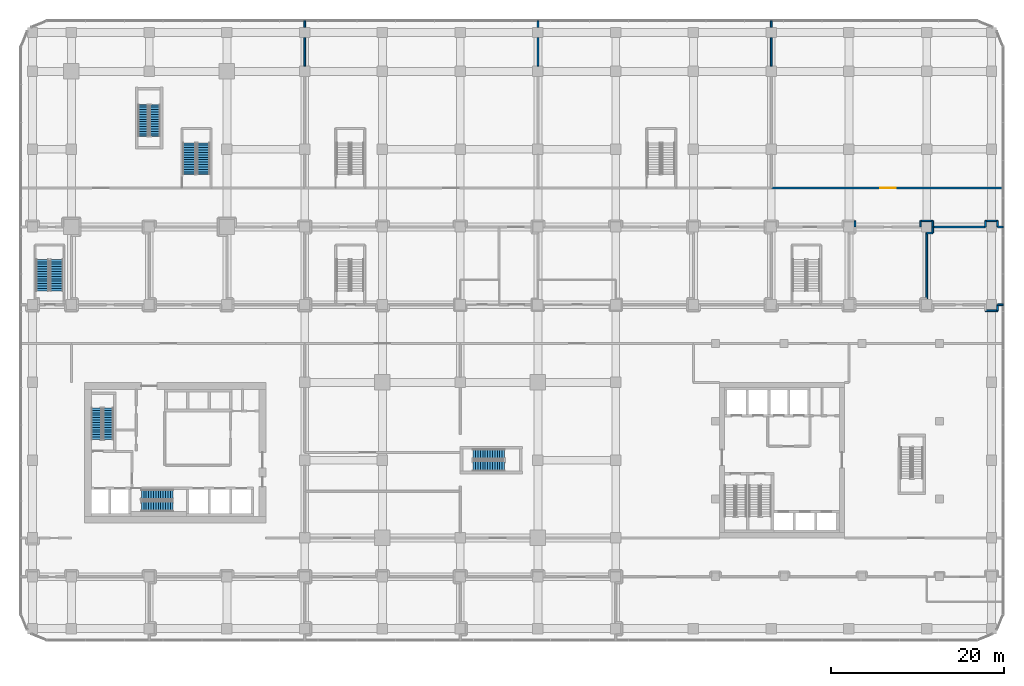
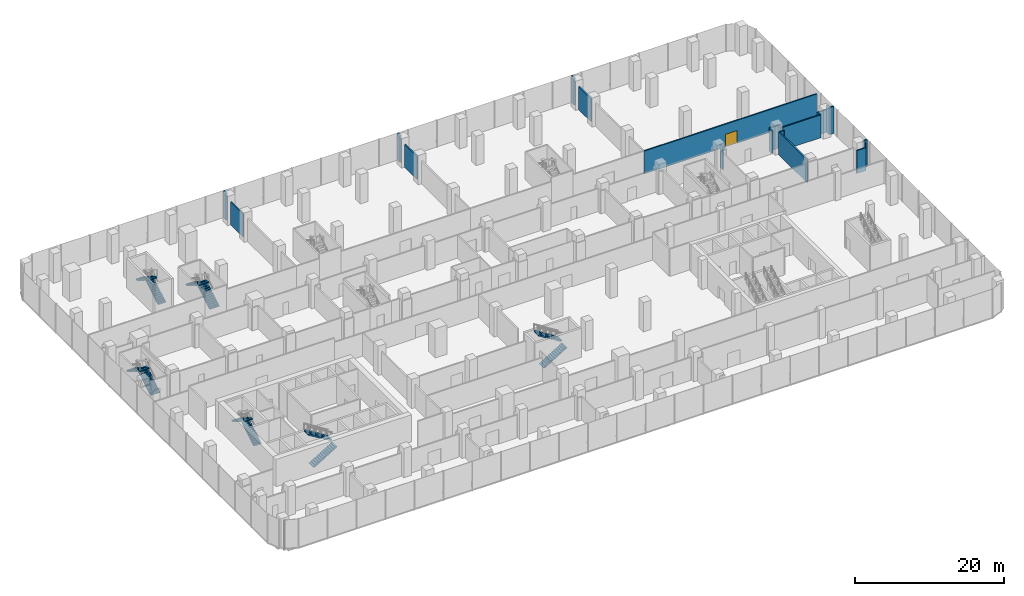
# One storey, part 36 of 42: 22 walls, 12 stair flights, 1 door, 1 opening, 6 elements without a shape of their own.
"""IFC4 building model written with IfcOpenShell, lengths in metres."""

from ifc_helpers import new_model, si_unit, direction, frame, frame_2d, origin, place, context, subcontext, project, spatial, polyline, rectangle, outline, extrude, material, layer, layer_set, type_object, element, fill, aggregate, save


model = new_model("IFC4")

# Units and contexts
model_context = context("Model", 3, precision=1e-05, world=origin(), true_north=direction((0.0, 1.0)))
body_context = subcontext(model_context, "Body", "Model", "MODEL_VIEW")
ifc_project = project(units=[si_unit("LENGTHUNIT", "METRE"), si_unit("AREAUNIT", "SQUARE_METRE"), si_unit("VOLUMEUNIT", "CUBIC_METRE"), si_unit("PLANEANGLEUNIT", "RADIAN"), si_unit("MASSUNIT", "GRAM", prefix="KILO")], contexts=[model_context])

# Site, building, storey
site_placement = place(None, origin())
site = spatial("IfcSite", under=ifc_project, at=site_placement, CompositionType="ELEMENT")
building_placement = place(site_placement, origin())
building = spatial("IfcBuilding", under=site, at=building_placement, Name="Plateau Cross Towers", CompositionType="ELEMENT")
storey_placement = place(building_placement, frame((0.0, 0.0, 8.0)))
storey = spatial("IfcBuildingStorey", under=building, at=storey_placement, Name="L01", CompositionType="ELEMENT", Elevation=8.0)

# Wall, opening, door
ifc_material_1 = material(Name="Gypsum board on steel studs", Category="steel")
ifc_layer = layer(ifc_material_1, 0.199951171875)
ifc_layer_set = layer_set([ifc_layer], Name="Gypsum board on steel studs")
wall_type = type_object("IfcWallType", Name="Podium partition 200", PredefinedType="PARTITIONING", material=ifc_layer_set)
wall_1_placement = place(storey_placement, frame((81.0, 40.5, 0.0), z_axis=(0.0, 0.0, 1.0), x_axis=(1.0, 0.0, 0.0)))
wall_1 = element("IfcWall", 1, at=wall_1_placement, inside=storey, type_object=wall_type, Name="Partition wall", PredefinedType="PARTITIONING", context=body_context, shape_type="SweptSolid", body=[
    extrude(rectangle(XDim=26.85009765625, YDim=0.199951171875, at=frame_2d((13.425048828125, 0.0))), origin(), (0.0, 0.0, 1.0), 3.75),
])
opening_placement = place(wall_1_placement, frame((12.60009765625, 0.0, 0.0)))
opening = element("IfcOpeningElement", 2, at=opening_placement, cuts=wall_1, Name="Opening 01-30", PredefinedType="OPENING", context=body_context, shape_type="SweptSolid", body=[
    extrude(rectangle(XDim=1.800048828125, YDim=2.10009765625, at=frame_2d((0.89990234375, 1.050048828125))), frame((0.0, 0.10986328125, 0.0), z_axis=(0.0, -1.0, 0.0), x_axis=(1.0, 0.0, 0.0)), (0.0, 0.0, 1.0), 0.219970703125),
])
ifc_material_2 = material(Name="Aluminium frame, toughened glass", Category="aluminium")
door_type = type_object("IfcDoorType", Name="Podium door pair 1800", OperationType="NOTDEFINED", PredefinedType="DOOR", material=ifc_material_2)
door_placement = place(opening_placement, origin())
door = element("IfcDoor", 3, at=door_placement, inside=storey, type_object=door_type, Name="Door 01-30", OperationType="DOUBLE_DOOR_SINGLE_SWING", OverallHeight=2.10009765625, OverallWidth=1.800048828125, PredefinedType="DOOR", context=body_context, shape_type="SweptSolid", body=[
    extrude(rectangle(XDim=1.800048828125, YDim=2.10009765625, at=frame_2d((0.89990234375, 1.050048828125))), frame((0.0, 0.02490234375, 0.0), z_axis=(0.0, -1.0, 0.0), x_axis=(1.0, 0.0, 0.0)), (0.0, 0.0, 1.0), 0.050048828125),
])
fill(opening, door)

# Walls
wall_2_placement = place(storey_placement, frame((54.0, 59.85009765625, 0.0), z_axis=(0.0, 0.0, 1.0), x_axis=(0.0, -1.0, 0.0)))
element("IfcWall", 4, at=wall_2_placement, inside=storey, type_object=wall_type, Name="Partition wall", PredefinedType="PARTITIONING", context=body_context, shape_type="SweptSolid", body=[
    extrude(rectangle(XDim=0.75, YDim=0.199951171875, at=frame_2d((0.375, 0.0))), origin(), (0.0, 0.0, 1.0), 4.449951171875),
])
wall_3_placement = place(storey_placement, frame((54.0, 57.89990234375, 0.0), z_axis=(0.0, 0.0, 1.0), x_axis=(0.0, -1.0, 0.0)))
element("IfcWall", 5, at=wall_3_placement, inside=storey, type_object=wall_type, Name="Partition wall", PredefinedType="PARTITIONING", context=body_context, shape_type="SweptSolid", body=[
    extrude(rectangle(XDim=3.2998046875, YDim=0.199951171875, at=frame_2d((1.64990234375, 0.0))), origin(), (0.0, 0.0, 1.0), 3.75),
])
wall_4_placement = place(storey_placement, frame((81.0, 59.85009765625, 0.0), z_axis=(0.0, 0.0, 1.0), x_axis=(0.0, -1.0, 0.0)))
element("IfcWall", 6, at=wall_4_placement, inside=storey, type_object=wall_type, Name="Partition wall", PredefinedType="PARTITIONING", context=body_context, shape_type="SweptSolid", body=[
    extrude(rectangle(XDim=0.75, YDim=0.199951171875, at=frame_2d((0.375, 0.0))), origin(), (0.0, 0.0, 1.0), 4.449951171875),
])
wall_5_placement = place(storey_placement, frame((81.0, 57.89990234375, 0.0), z_axis=(0.0, 0.0, 1.0), x_axis=(0.0, -1.0, 0.0)))
element("IfcWall", 7, at=wall_5_placement, inside=storey, type_object=wall_type, Name="Partition wall", PredefinedType="PARTITIONING", context=body_context, shape_type="SweptSolid", body=[
    extrude(rectangle(XDim=3.2998046875, YDim=0.199951171875, at=frame_2d((1.64990234375, 0.0))), origin(), (0.0, 0.0, 1.0), 3.75),
])
wall_6_placement = place(storey_placement, frame((27.0, 59.85009765625, 0.0), z_axis=(0.0, 0.0, 1.0), x_axis=(0.0, -1.0, 0.0)))
element("IfcWall", 8, at=wall_6_placement, inside=storey, type_object=wall_type, Name="Partition wall", PredefinedType="PARTITIONING", context=body_context, shape_type="SweptSolid", body=[
    extrude(rectangle(XDim=0.75, YDim=0.199951171875, at=frame_2d((0.375, 0.0))), origin(), (0.0, 0.0, 1.0), 4.449951171875),
])
wall_7_placement = place(storey_placement, frame((27.0, 57.89990234375, 0.0), z_axis=(0.0, 0.0, 1.0), x_axis=(0.0, -1.0, 0.0)))
element("IfcWall", 9, at=wall_7_placement, inside=storey, type_object=wall_type, Name="Partition wall", PredefinedType="PARTITIONING", context=body_context, shape_type="SweptSolid", body=[
    extrude(rectangle(XDim=3.2998046875, YDim=0.199951171875, at=frame_2d((1.64990234375, 0.0))), origin(), (0.0, 0.0, 1.0), 3.75),
])
wall_8_placement = place(storey_placement, frame((90.699951171875, 36.0, 0.0), z_axis=(0.0, 0.0, 1.0), x_axis=(0.0, 1.0, 0.0)))
element("IfcWall", 10, at=wall_8_placement, inside=storey, type_object=wall_type, Name="Partition wall", PredefinedType="PARTITIONING", context=body_context, shape_type="SweptSolid", body=[
    extrude(rectangle(XDim=0.699951171875, YDim=0.199951171875, at=frame_2d((0.35009765625, 0.0))), origin(), (0.0, 0.0, 1.0), 3.75),
])
wall_9_placement = place(storey_placement, frame((105.800048828125, 26.300048828125, 0.0), z_axis=(0.0, 0.0, 1.0), x_axis=(1.0, 0.0, 0.0)))
element("IfcWall", 11, at=wall_9_placement, inside=storey, type_object=wall_type, Name="Partition wall", PredefinedType="PARTITIONING", context=body_context, shape_type="SweptSolid", body=[
    extrude(rectangle(XDim=1.39990234375, YDim=0.199951171875, at=frame_2d((0.699951171875, 0.0))), origin(), (0.0, 0.0, 1.0), 3.75),
])
wall_10_placement = place(storey_placement, frame((107.199951171875, 26.300048828125, 0.0), z_axis=(0.0, 0.0, 1.0), x_axis=(0.0, 1.0, 0.0)))
element("IfcWall", 12, at=wall_10_placement, inside=storey, type_object=wall_type, Name="Partition wall", PredefinedType="PARTITIONING", context=body_context, shape_type="SweptSolid", body=[
    extrude(rectangle(XDim=0.699951171875, YDim=0.199951171875, at=frame_2d((0.35009765625, 0.0))), origin(), (0.0, 0.0, 1.0), 4.449951171875),
])
wall_11_placement = place(storey_placement, frame((107.199951171875, 27.0, 0.0), z_axis=(0.0, 0.0, 1.0), x_axis=(1.0, 0.0, 0.0)))
element("IfcWall", 13, at=wall_11_placement, inside=storey, type_object=wall_type, Name="Partition wall", PredefinedType="PARTITIONING", context=body_context, shape_type="SweptSolid", body=[
    extrude(rectangle(XDim=0.650146484375, YDim=0.199951171875, at=frame_2d((0.3251953125, 0.0))), origin(), (0.0, 0.0, 1.0), 4.449951171875),
])
wall_12_placement = place(storey_placement, frame((99.699951171875, 36.0, 0.0), z_axis=(0.0, 0.0, 1.0), x_axis=(0.0, 1.0, 0.0)))
element("IfcWall", 14, at=wall_12_placement, inside=storey, type_object=wall_type, Name="Partition wall", PredefinedType="PARTITIONING", context=body_context, shape_type="SweptSolid", body=[
    extrude(rectangle(XDim=0.699951171875, YDim=0.199951171875, at=frame_2d((0.35009765625, 0.0))), origin(), (0.0, 0.0, 1.0), 3.75),
])
wall_13_placement = place(storey_placement, frame((99.699951171875, 36.699951171875, 0.0), z_axis=(0.0, 0.0, 1.0), x_axis=(-1.0, 0.0, 0.0)))
element("IfcWall", 15, at=wall_13_placement, inside=storey, type_object=wall_type, Name="Partition wall", PredefinedType="PARTITIONING", context=body_context, shape_type="SweptSolid", body=[
    extrude(rectangle(XDim=1.39990234375, YDim=0.199951171875, at=frame_2d((0.699951171875, 0.0))), origin(), (0.0, 0.0, 1.0), 3.75),
])
for number, where, z_axis, x_axis, name in (
    (16, (98.300048828125, 36.699951171875, 0.0), (0.0, 0.0, 1.0), (0.0, -1.0, 0.0), "Partition wall"),
    (17, (99.699951171875, 36.0, 0.0), (0.0, 0.0, 1.0), (0.0, -1.0, 0.0), "Partition wall"),
    (18, (99.699951171875, 35.300048828125, 0.0), (0.0, 0.0, 1.0), (-1.0, 0.0, 0.0), "Partition wall"),
):
    element("IfcWall", number, at=place(storey_placement, frame(where, z_axis=z_axis, x_axis=x_axis)), inside=storey, type_object=wall_type, Name=name, PredefinedType="PARTITIONING", context=body_context, shape_type="SweptSolid", body=[
        extrude(rectangle(XDim=0.699951171875, YDim=0.199951171875, at=frame_2d((0.35009765625, 0.0))), origin(), (0.0, 0.0, 1.0), 3.75),
    ])
wall_14_placement = place(storey_placement, frame((99.0, 35.300048828125, 0.0), z_axis=(0.0, 0.0, 1.0), x_axis=(0.0, -1.0, 0.0)))
element("IfcWall", 19, at=wall_14_placement, inside=storey, type_object=wall_type, Name="Partition wall", PredefinedType="PARTITIONING", context=body_context, shape_type="SweptSolid", body=[
    extrude(rectangle(XDim=7.60009765625, YDim=0.199951171875, at=frame_2d((3.800048828125, 0.0))), origin(), (0.0, 0.0, 1.0), 3.75),
])
wall_15_placement = place(storey_placement, frame((107.85009765625, 36.0, 0.0), z_axis=(0.0, 0.0, 1.0), x_axis=(-1.0, 0.0, 0.0)))
element("IfcWall", 20, at=wall_15_placement, inside=storey, type_object=wall_type, Name="Partition wall", PredefinedType="PARTITIONING", context=body_context, shape_type="SweptSolid", body=[
    extrude(rectangle(XDim=0.650146484375, YDim=0.199951171875, at=frame_2d((0.3251953125, 0.0))), origin(), (0.0, 0.0, 1.0), 4.449951171875),
])
wall_16_placement = place(storey_placement, frame((107.199951171875, 36.0, 0.0), z_axis=(0.0, 0.0, 1.0), x_axis=(0.0, 1.0, 0.0)))
element("IfcWall", 21, at=wall_16_placement, inside=storey, type_object=wall_type, Name="Partition wall", PredefinedType="PARTITIONING", context=body_context, shape_type="SweptSolid", body=[
    extrude(rectangle(XDim=0.699951171875, YDim=0.199951171875, at=frame_2d((0.35009765625, 0.0))), origin(), (0.0, 0.0, 1.0), 4.449951171875),
])
wall_17_placement = place(storey_placement, frame((107.199951171875, 36.699951171875, 0.0), z_axis=(0.0, 0.0, 1.0), x_axis=(-1.0, 0.0, 0.0)))
element("IfcWall", 22, at=wall_17_placement, inside=storey, type_object=wall_type, Name="Partition wall", PredefinedType="PARTITIONING", context=body_context, shape_type="SweptSolid", body=[
    extrude(rectangle(XDim=1.39990234375, YDim=0.199951171875, at=frame_2d((0.699951171875, 0.0))), origin(), (0.0, 0.0, 1.0), 3.75),
])
wall_18_placement = place(storey_placement, frame((105.800048828125, 36.699951171875, 0.0), z_axis=(0.0, 0.0, 1.0), x_axis=(0.0, -1.0, 0.0)))
element("IfcWall", 23, at=wall_18_placement, inside=storey, type_object=wall_type, Name="Partition wall", PredefinedType="PARTITIONING", context=body_context, shape_type="SweptSolid", body=[
    extrude(rectangle(XDim=0.699951171875, YDim=0.199951171875, at=frame_2d((0.35009765625, 0.0))), origin(), (0.0, 0.0, 1.0), 3.75),
])
wall_19_placement = place(storey_placement, frame((105.800048828125, 36.0, 0.0), z_axis=(0.0, 0.0, 1.0), x_axis=(-1.0, 0.0, 0.0)))
element("IfcWall", 24, at=wall_19_placement, inside=storey, type_object=wall_type, Name="Partition wall", PredefinedType="PARTITIONING", context=body_context, shape_type="SweptSolid", body=[
    extrude(rectangle(XDim=6.0, YDim=0.199951171875, at=frame_2d((3.0, 0.0))), origin(), (0.0, 0.0, 1.0), 3.75),
])

# Stair, stair flights
ifc_material_3 = material(Name="Concrete C40/50", Category="concrete")
stair_type_1 = type_object("IfcStairType", Name="Podium exit stair 1500", PredefinedType="HALF_TURN_STAIR", material=ifc_material_3)
stair_1_placement = place(storey_placement, origin())
stair_1 = element("IfcStair", 25, at=stair_1_placement, inside=storey, type_object=stair_type_1, Name="L01 Exit Stair 4", PredefinedType="HALF_TURN_STAIR")
stair_flight_type_1 = type_object("IfcStairFlightType", Name="Podium stair flight 1500", PredefinedType="STRAIGHT", material=ifc_material_3)
stair_flight_1_placement = place(storey_placement, frame((-1.699951171875, 28.60009765625, 0.0), z_axis=(0.0, 0.0, 1.0), x_axis=(0.0, 1.0, 0.0)))
stair_flight_1 = element("IfcStairFlight", 26, at=stair_flight_1_placement, type_object=stair_flight_type_1, Name="PS4 flight 1", NumberOfRisers=14, NumberOfTreads=13, PredefinedType="STRAIGHT", RiserHeight=0.171428571, TreadLength=0.28, context=body_context, shape_type="SweptSolid", body=[
    extrude(outline(polyline([(-0.0048828125, -0.010009765625), (-0.0048828125, 0.0), (0.0, 0.0), (0.0, 0.17138671875), (0.280029296875, 0.17138671875), (0.280029296875, 0.3427734375), (0.56005859375, 0.3427734375), (0.56005859375, 0.514404296875), (0.840087890625, 0.514404296875), (0.840087890625, 0.685791015625), (1.1201171875, 0.685791015625), (1.1201171875, 0.857177734375), (1.39990234375, 0.857177734375), (1.39990234375, 1.028564453125), (1.679931640625, 1.028564453125), (1.679931640625, 1.199951171875), (1.9599609375, 1.199951171875), (1.9599609375, 1.371337890625), (2.239990234375, 1.371337890625), (2.239990234375, 1.54296875), (2.52001953125, 1.54296875), (2.52001953125, 1.71435546875), (2.800048828125, 1.71435546875), (2.800048828125, 1.8857421875), (3.080078125, 1.8857421875), (3.080078125, 2.05712890625), (3.360107421875, 2.05712890625), (3.360107421875, 2.228515625), (3.639892578125, 2.228515625), (3.64501953125, 2.218505859375), (3.64501953125, 2.052734375), (3.639892578125, 2.052734375), (0.287109375, 0.0), (0.02001953125, 0.0), (0.02001953125, -0.010009765625), (-0.0048828125, -0.010009765625)])), frame((0.0, 0.75, 0.0), z_axis=(0.0, -1.0, 0.0), x_axis=(1.0, 0.0, 0.0)), (0.0, 0.0, 1.0), 1.5),
])
stair_flight_2_placement = place(storey_placement, frame((-3.35009765625, 32.239990234375, 2.39990234375), z_axis=(0.0, 0.0, 1.0), x_axis=(0.0, -1.0, 0.0)))
stair_flight_2 = element("IfcStairFlight", 27, at=stair_flight_2_placement, type_object=stair_flight_type_1, Name="PS4 flight 2", NumberOfRisers=14, NumberOfTreads=13, PredefinedType="STRAIGHT", RiserHeight=0.171428571, TreadLength=0.28, context=body_context, shape_type="SweptSolid", body=[
    extrude(outline(polyline([(-0.0048828125, -0.010009765625), (-0.0048828125, 0.0), (0.0, 0.0), (0.0, 0.17138671875), (0.280029296875, 0.17138671875), (0.280029296875, 0.3427734375), (0.56005859375, 0.3427734375), (0.56005859375, 0.514404296875), (0.840087890625, 0.514404296875), (0.840087890625, 0.685791015625), (1.1201171875, 0.685791015625), (1.1201171875, 0.857177734375), (1.39990234375, 0.857177734375), (1.39990234375, 1.028564453125), (1.679931640625, 1.028564453125), (1.679931640625, 1.199951171875), (1.9599609375, 1.199951171875), (1.9599609375, 1.371337890625), (2.239990234375, 1.371337890625), (2.239990234375, 1.54296875), (2.52001953125, 1.54296875), (2.52001953125, 1.71435546875), (2.800048828125, 1.71435546875), (2.800048828125, 1.8857421875), (3.080078125, 1.8857421875), (3.080078125, 2.05712890625), (3.360107421875, 2.05712890625), (3.360107421875, 2.228515625), (3.639892578125, 2.228515625), (3.64501953125, 2.218505859375), (3.64501953125, 2.052734375), (3.639892578125, 2.052734375), (0.287109375, 0.0), (0.02001953125, 0.0), (0.02001953125, -0.010009765625), (-0.0048828125, -0.010009765625)])), frame((0.0, 0.75, 0.0), z_axis=(0.0, -1.0, 0.0), x_axis=(1.0, 0.0, 0.0)), (0.0, 0.0, 1.0), 1.5),
])
aggregate(stair_1, [stair_flight_1, stair_flight_2])

stair_2_placement = place(storey_placement, origin())
stair_2 = element("IfcStair", 28, at=stair_2_placement, inside=storey, type_object=stair_type_1, Name="L01 Exit Stair 6", PredefinedType="HALF_TURN_STAIR")
stair_flight_3_placement = place(storey_placement, frame((15.300048828125, 42.10009765625, 0.0), z_axis=(0.0, 0.0, 1.0), x_axis=(0.0, 1.0, 0.0)))
stair_flight_3 = element("IfcStairFlight", 29, at=stair_flight_3_placement, type_object=stair_flight_type_1, Name="PS6 flight 1", NumberOfRisers=14, NumberOfTreads=13, PredefinedType="STRAIGHT", RiserHeight=0.171428571, TreadLength=0.28, context=body_context, shape_type="SweptSolid", body=[
    extrude(outline(polyline([(-0.0048828125, -0.010009765625), (-0.0048828125, 0.0), (0.0, 0.0), (0.0, 0.17138671875), (0.280029296875, 0.17138671875), (0.280029296875, 0.3427734375), (0.56005859375, 0.3427734375), (0.56005859375, 0.514404296875), (0.840087890625, 0.514404296875), (0.840087890625, 0.685791015625), (1.1201171875, 0.685791015625), (1.1201171875, 0.857177734375), (1.39990234375, 0.857177734375), (1.39990234375, 1.028564453125), (1.679931640625, 1.028564453125), (1.679931640625, 1.199951171875), (1.9599609375, 1.199951171875), (1.9599609375, 1.371337890625), (2.239990234375, 1.371337890625), (2.239990234375, 1.54296875), (2.52001953125, 1.54296875), (2.52001953125, 1.71435546875), (2.800048828125, 1.71435546875), (2.800048828125, 1.8857421875), (3.080078125, 1.8857421875), (3.080078125, 2.05712890625), (3.360107421875, 2.05712890625), (3.360107421875, 2.228515625), (3.639892578125, 2.228515625), (3.64501953125, 2.218505859375), (3.64501953125, 2.052734375), (3.639892578125, 2.052734375), (0.287109375, 0.0), (0.02001953125, 0.0), (0.02001953125, -0.010009765625), (-0.0048828125, -0.010009765625)])), frame((0.0, 0.75, 0.0), z_axis=(0.0, -1.0, 0.0), x_axis=(1.0, 0.0, 0.0)), (0.0, 0.0, 1.0), 1.5),
])
stair_flight_4_placement = place(storey_placement, frame((13.64990234375, 45.739990234375, 2.39990234375), z_axis=(0.0, 0.0, 1.0), x_axis=(0.0, -1.0, 0.0)))
stair_flight_4 = element("IfcStairFlight", 30, at=stair_flight_4_placement, type_object=stair_flight_type_1, Name="PS6 flight 2", NumberOfRisers=14, NumberOfTreads=13, PredefinedType="STRAIGHT", RiserHeight=0.171428571, TreadLength=0.28, context=body_context, shape_type="SweptSolid", body=[
    extrude(outline(polyline([(-0.0048828125, -0.010009765625), (-0.0048828125, 0.0), (0.0, 0.0), (0.0, 0.17138671875), (0.280029296875, 0.17138671875), (0.280029296875, 0.3427734375), (0.56005859375, 0.3427734375), (0.56005859375, 0.514404296875), (0.840087890625, 0.514404296875), (0.840087890625, 0.685791015625), (1.1201171875, 0.685791015625), (1.1201171875, 0.857177734375), (1.39990234375, 0.857177734375), (1.39990234375, 1.028564453125), (1.679931640625, 1.028564453125), (1.679931640625, 1.199951171875), (1.9599609375, 1.199951171875), (1.9599609375, 1.371337890625), (2.239990234375, 1.371337890625), (2.239990234375, 1.54296875), (2.52001953125, 1.54296875), (2.52001953125, 1.71435546875), (2.800048828125, 1.71435546875), (2.800048828125, 1.8857421875), (3.080078125, 1.8857421875), (3.080078125, 2.05712890625), (3.360107421875, 2.05712890625), (3.360107421875, 2.228515625), (3.639892578125, 2.228515625), (3.64501953125, 2.218505859375), (3.64501953125, 2.052734375), (3.639892578125, 2.052734375), (0.287109375, 0.0), (0.02001953125, 0.0), (0.02001953125, -0.010009765625), (-0.0048828125, -0.010009765625)])), frame((0.0, 0.75, 0.0), z_axis=(0.0, -1.0, 0.0), x_axis=(1.0, 0.0, 0.0)), (0.0, 0.0, 1.0), 1.5),
])
aggregate(stair_2, [stair_flight_3, stair_flight_4])

stair_type_2 = type_object("IfcStairType", Name="ST-TWR", PredefinedType="HALF_TURN_STAIR", material=ifc_material_3)
stair_3_placement = place(storey_placement, origin())
stair_3 = element("IfcStair", 31, at=stair_3_placement, inside=storey, type_object=stair_type_2, Name="L01 Protected Exit Stair ST-1", PredefinedType="HALF_TURN_STAIR")
stair_flight_type_2 = type_object("IfcStairFlightType", Name="SFL-RC", PredefinedType="STRAIGHT", material=ifc_material_3)
stair_flight_5_placement = place(storey_placement, frame((4.25, 11.39990234375, 0.0), z_axis=(0.0, 0.0, 1.0), x_axis=(0.0, 1.0, 0.0)))
stair_flight_5 = element("IfcStairFlight", 32, at=stair_flight_5_placement, type_object=stair_flight_type_2, Name="ST-1 flight 1", NumberOfRisers=14, NumberOfTreads=13, PredefinedType="STRAIGHT", RiserHeight=0.171428571, TreadLength=0.28, context=body_context, shape_type="SweptSolid", body=[
    extrude(outline(polyline([(-0.0048828125, -0.010009765625), (-0.0048828125, 0.0), (0.0, 0.0), (0.0, 0.17138671875), (0.280029296875, 0.17138671875), (0.280029296875, 0.3427734375), (0.56005859375, 0.3427734375), (0.56005859375, 0.514404296875), (0.840087890625, 0.514404296875), (0.840087890625, 0.685791015625), (1.1201171875, 0.685791015625), (1.1201171875, 0.857177734375), (1.39990234375, 0.857177734375), (1.39990234375, 1.028564453125), (1.679931640625, 1.028564453125), (1.679931640625, 1.199951171875), (1.9599609375, 1.199951171875), (1.9599609375, 1.371337890625), (2.239990234375, 1.371337890625), (2.239990234375, 1.54296875), (2.52001953125, 1.54296875), (2.52001953125, 1.71435546875), (2.800048828125, 1.71435546875), (2.800048828125, 1.8857421875), (3.080078125, 1.8857421875), (3.080078125, 2.05712890625), (3.360107421875, 2.05712890625), (3.360107421875, 2.228515625), (3.639892578125, 2.228515625), (3.64501953125, 2.218505859375), (3.64501953125, 2.052734375), (3.639892578125, 2.052734375), (0.287109375, 0.0), (0.02001953125, 0.0), (0.02001953125, -0.010009765625), (-0.0048828125, -0.010009765625)])), frame((0.0, 0.60009765625, 0.0), z_axis=(0.0, -1.0, 0.0), x_axis=(1.0, 0.0, 0.0)), (0.0, 0.0, 1.0), 1.199951171875),
])
stair_flight_6_placement = place(storey_placement, frame((2.89990234375, 15.0400390625, 2.39990234375), z_axis=(0.0, 0.0, 1.0), x_axis=(0.0, -1.0, 0.0)))
stair_flight_6 = element("IfcStairFlight", 33, at=stair_flight_6_placement, type_object=stair_flight_type_2, Name="ST-1 flight 2", NumberOfRisers=14, NumberOfTreads=13, PredefinedType="STRAIGHT", RiserHeight=0.171428571, TreadLength=0.28, context=body_context, shape_type="SweptSolid", body=[
    extrude(outline(polyline([(-0.0048828125, -0.010009765625), (-0.0048828125, 0.0), (0.0, 0.0), (0.0, 0.17138671875), (0.280029296875, 0.17138671875), (0.280029296875, 0.3427734375), (0.56005859375, 0.3427734375), (0.56005859375, 0.514404296875), (0.840087890625, 0.514404296875), (0.840087890625, 0.685791015625), (1.1201171875, 0.685791015625), (1.1201171875, 0.857177734375), (1.39990234375, 0.857177734375), (1.39990234375, 1.028564453125), (1.679931640625, 1.028564453125), (1.679931640625, 1.199951171875), (1.9599609375, 1.199951171875), (1.9599609375, 1.371337890625), (2.239990234375, 1.371337890625), (2.239990234375, 1.54296875), (2.52001953125, 1.54296875), (2.52001953125, 1.71435546875), (2.800048828125, 1.71435546875), (2.800048828125, 1.8857421875), (3.080078125, 1.8857421875), (3.080078125, 2.05712890625), (3.360107421875, 2.05712890625), (3.360107421875, 2.228515625), (3.639892578125, 2.228515625), (3.64501953125, 2.218505859375), (3.64501953125, 2.052734375), (3.639892578125, 2.052734375), (0.287109375, 0.0), (0.02001953125, 0.0), (0.02001953125, -0.010009765625), (-0.0048828125, -0.010009765625)])), frame((0.0, 0.60009765625, 0.0), z_axis=(0.0, -1.0, 0.0), x_axis=(1.0, 0.0, 0.0)), (0.0, 0.0, 1.0), 1.199951171875),
])
aggregate(stair_3, [stair_flight_5, stair_flight_6])

stair_4_placement = place(storey_placement, origin())
stair_4 = element("IfcStair", 34, at=stair_4_placement, inside=storey, type_object=stair_type_2, Name="L01 Protected Exit Stair ST-2", PredefinedType="HALF_TURN_STAIR")
stair_flight_7_placement = place(storey_placement, frame((8.10009765625, 3.64990234375, 0.0), z_axis=(0.0, 0.0, 1.0), x_axis=(1.0, 0.0, 0.0)))
stair_flight_7 = element("IfcStairFlight", 35, at=stair_flight_7_placement, type_object=stair_flight_type_2, Name="ST-2 flight 1", NumberOfRisers=14, NumberOfTreads=13, PredefinedType="STRAIGHT", RiserHeight=0.171428571, TreadLength=0.28, context=body_context, shape_type="SweptSolid", body=[
    extrude(outline(polyline([(-0.0048828125, -0.010009765625), (-0.0048828125, 0.0), (0.0, 0.0), (0.0, 0.17138671875), (0.280029296875, 0.17138671875), (0.280029296875, 0.3427734375), (0.56005859375, 0.3427734375), (0.56005859375, 0.514404296875), (0.840087890625, 0.514404296875), (0.840087890625, 0.685791015625), (1.1201171875, 0.685791015625), (1.1201171875, 0.857177734375), (1.39990234375, 0.857177734375), (1.39990234375, 1.028564453125), (1.679931640625, 1.028564453125), (1.679931640625, 1.199951171875), (1.9599609375, 1.199951171875), (1.9599609375, 1.371337890625), (2.239990234375, 1.371337890625), (2.239990234375, 1.54296875), (2.52001953125, 1.54296875), (2.52001953125, 1.71435546875), (2.800048828125, 1.71435546875), (2.800048828125, 1.8857421875), (3.080078125, 1.8857421875), (3.080078125, 2.05712890625), (3.360107421875, 2.05712890625), (3.360107421875, 2.228515625), (3.639892578125, 2.228515625), (3.64501953125, 2.218505859375), (3.64501953125, 2.052734375), (3.639892578125, 2.052734375), (0.287109375, 0.0), (0.02001953125, 0.0), (0.02001953125, -0.010009765625), (-0.0048828125, -0.010009765625)])), frame((0.0, 0.60009765625, 0.0), z_axis=(0.0, -1.0, 0.0), x_axis=(1.0, 0.0, 0.0)), (0.0, 0.0, 1.0), 1.199951171875),
])
stair_flight_8_placement = place(storey_placement, frame((11.739990234375, 5.0, 2.39990234375), z_axis=(0.0, 0.0, 1.0), x_axis=(-1.0, 0.0, 0.0)))
stair_flight_8 = element("IfcStairFlight", 36, at=stair_flight_8_placement, type_object=stair_flight_type_2, Name="ST-2 flight 2", NumberOfRisers=14, NumberOfTreads=13, PredefinedType="STRAIGHT", RiserHeight=0.171428571, TreadLength=0.28, context=body_context, shape_type="SweptSolid", body=[
    extrude(outline(polyline([(-0.0048828125, -0.010009765625), (-0.0048828125, 0.0), (0.0, 0.0), (0.0, 0.17138671875), (0.280029296875, 0.17138671875), (0.280029296875, 0.3427734375), (0.56005859375, 0.3427734375), (0.56005859375, 0.514404296875), (0.840087890625, 0.514404296875), (0.840087890625, 0.685791015625), (1.1201171875, 0.685791015625), (1.1201171875, 0.857177734375), (1.39990234375, 0.857177734375), (1.39990234375, 1.028564453125), (1.679931640625, 1.028564453125), (1.679931640625, 1.199951171875), (1.9599609375, 1.199951171875), (1.9599609375, 1.371337890625), (2.239990234375, 1.371337890625), (2.239990234375, 1.54296875), (2.52001953125, 1.54296875), (2.52001953125, 1.71435546875), (2.800048828125, 1.71435546875), (2.800048828125, 1.8857421875), (3.080078125, 1.8857421875), (3.080078125, 2.05712890625), (3.360107421875, 2.05712890625), (3.360107421875, 2.228515625), (3.639892578125, 2.228515625), (3.64501953125, 2.218505859375), (3.64501953125, 2.052734375), (3.639892578125, 2.052734375), (0.287109375, 0.0), (0.02001953125, 0.0), (0.02001953125, -0.010009765625), (-0.0048828125, -0.010009765625)])), frame((0.0, 0.60009765625, 0.0), z_axis=(0.0, -1.0, 0.0), x_axis=(1.0, 0.0, 0.0)), (0.0, 0.0, 1.0), 1.199951171875),
])
aggregate(stair_4, [stair_flight_7, stair_flight_8])

stair_5_placement = place(storey_placement, origin())
stair_5 = element("IfcStair", 37, at=stair_5_placement, inside=storey, type_object=stair_type_2, Name="L01 Protected Exit Stair E", PredefinedType="HALF_TURN_STAIR")
stair_flight_9_placement = place(storey_placement, frame((46.5, 8.324951171875, 0.0), z_axis=(0.0, 0.0, 1.0), x_axis=(1.0, 0.0, 0.0)))
stair_flight_9 = element("IfcStairFlight", 38, at=stair_flight_9_placement, type_object=stair_flight_type_2, Name="ES-E flight 1", NumberOfRisers=14, NumberOfTreads=13, PredefinedType="STRAIGHT", RiserHeight=0.171428571, TreadLength=0.28, context=body_context, shape_type="SweptSolid", body=[
    extrude(outline(polyline([(-0.0048828125, -0.010009765625), (-0.0048828125, 0.0), (0.0, 0.0), (0.0, 0.17138671875), (0.280029296875, 0.17138671875), (0.280029296875, 0.3427734375), (0.56005859375, 0.3427734375), (0.56005859375, 0.514404296875), (0.840087890625, 0.514404296875), (0.840087890625, 0.685791015625), (1.1201171875, 0.685791015625), (1.1201171875, 0.857177734375), (1.39990234375, 0.857177734375), (1.39990234375, 1.028564453125), (1.679931640625, 1.028564453125), (1.679931640625, 1.199951171875), (1.9599609375, 1.199951171875), (1.9599609375, 1.371337890625), (2.239990234375, 1.371337890625), (2.239990234375, 1.54296875), (2.52001953125, 1.54296875), (2.52001953125, 1.71435546875), (2.800048828125, 1.71435546875), (2.800048828125, 1.8857421875), (3.080078125, 1.8857421875), (3.080078125, 2.05712890625), (3.360107421875, 2.05712890625), (3.360107421875, 2.228515625), (3.639892578125, 2.228515625), (3.64501953125, 2.218505859375), (3.64501953125, 2.052734375), (3.639892578125, 2.052734375), (0.287109375, 0.0), (0.02001953125, 0.0), (0.02001953125, -0.010009765625), (-0.0048828125, -0.010009765625)])), frame((0.0, 0.60009765625, 0.0), z_axis=(0.0, -1.0, 0.0), x_axis=(1.0, 0.0, 0.0)), (0.0, 0.0, 1.0), 1.199951171875),
])
stair_flight_10_placement = place(storey_placement, frame((50.139892578125, 9.675048828125, 2.39990234375), z_axis=(0.0, 0.0, 1.0), x_axis=(-1.0, 0.0, 0.0)))
stair_flight_10 = element("IfcStairFlight", 39, at=stair_flight_10_placement, type_object=stair_flight_type_2, Name="ES-E flight 2", NumberOfRisers=14, NumberOfTreads=13, PredefinedType="STRAIGHT", RiserHeight=0.171428571, TreadLength=0.28, context=body_context, shape_type="SweptSolid", body=[
    extrude(outline(polyline([(-0.0048828125, -0.010009765625), (-0.0048828125, 0.0), (0.0, 0.0), (0.0, 0.17138671875), (0.280029296875, 0.17138671875), (0.280029296875, 0.3427734375), (0.56005859375, 0.3427734375), (0.56005859375, 0.514404296875), (0.840087890625, 0.514404296875), (0.840087890625, 0.685791015625), (1.1201171875, 0.685791015625), (1.1201171875, 0.857177734375), (1.39990234375, 0.857177734375), (1.39990234375, 1.028564453125), (1.679931640625, 1.028564453125), (1.679931640625, 1.199951171875), (1.9599609375, 1.199951171875), (1.9599609375, 1.371337890625), (2.239990234375, 1.371337890625), (2.239990234375, 1.54296875), (2.52001953125, 1.54296875), (2.52001953125, 1.71435546875), (2.800048828125, 1.71435546875), (2.800048828125, 1.8857421875), (3.080078125, 1.8857421875), (3.080078125, 2.05712890625), (3.360107421875, 2.05712890625), (3.360107421875, 2.228515625), (3.639892578125, 2.228515625), (3.64501953125, 2.218505859375), (3.64501953125, 2.052734375), (3.639892578125, 2.052734375), (0.287109375, 0.0), (0.02001953125, 0.0), (0.02001953125, -0.010009765625), (-0.0048828125, -0.010009765625)])), frame((0.0, 0.60009765625, 0.0), z_axis=(0.0, -1.0, 0.0), x_axis=(1.0, 0.0, 0.0)), (0.0, 0.0, 1.0), 1.199951171875),
])
aggregate(stair_5, [stair_flight_9, stair_flight_10])

stair_6_placement = place(storey_placement, origin())
stair_6 = element("IfcStair", 40, at=stair_6_placement, inside=storey, type_object=stair_type_2, Name="L01 Protected Exit Stair N", PredefinedType="HALF_TURN_STAIR")
stair_flight_11_placement = place(storey_placement, frame((9.675048828125, 46.5, 0.0), z_axis=(0.0, 0.0, 1.0), x_axis=(0.0, 1.0, 0.0)))
stair_flight_11 = element("IfcStairFlight", 41, at=stair_flight_11_placement, type_object=stair_flight_type_2, Name="ES-N flight 1", NumberOfRisers=14, NumberOfTreads=13, PredefinedType="STRAIGHT", RiserHeight=0.171428571, TreadLength=0.28, context=body_context, shape_type="SweptSolid", body=[
    extrude(outline(polyline([(-0.0048828125, -0.010009765625), (-0.0048828125, 0.0), (0.0, 0.0), (0.0, 0.17138671875), (0.280029296875, 0.17138671875), (0.280029296875, 0.3427734375), (0.56005859375, 0.3427734375), (0.56005859375, 0.514404296875), (0.840087890625, 0.514404296875), (0.840087890625, 0.685791015625), (1.1201171875, 0.685791015625), (1.1201171875, 0.857177734375), (1.39990234375, 0.857177734375), (1.39990234375, 1.028564453125), (1.679931640625, 1.028564453125), (1.679931640625, 1.199951171875), (1.9599609375, 1.199951171875), (1.9599609375, 1.371337890625), (2.239990234375, 1.371337890625), (2.239990234375, 1.54296875), (2.52001953125, 1.54296875), (2.52001953125, 1.71435546875), (2.800048828125, 1.71435546875), (2.800048828125, 1.8857421875), (3.080078125, 1.8857421875), (3.080078125, 2.05712890625), (3.360107421875, 2.05712890625), (3.360107421875, 2.228515625), (3.639892578125, 2.228515625), (3.64501953125, 2.218505859375), (3.64501953125, 2.052734375), (3.639892578125, 2.052734375), (0.287109375, 0.0), (0.02001953125, 0.0), (0.02001953125, -0.010009765625), (-0.0048828125, -0.010009765625)])), frame((0.0, 0.60009765625, 0.0), z_axis=(0.0, -1.0, 0.0), x_axis=(1.0, 0.0, 0.0)), (0.0, 0.0, 1.0), 1.199951171875),
])
stair_flight_12_placement = place(storey_placement, frame((8.324951171875, 50.139892578125, 2.39990234375), z_axis=(0.0, 0.0, 1.0), x_axis=(0.0, -1.0, 0.0)))
stair_flight_12 = element("IfcStairFlight", 42, at=stair_flight_12_placement, type_object=stair_flight_type_2, Name="ES-N flight 2", NumberOfRisers=14, NumberOfTreads=13, PredefinedType="STRAIGHT", RiserHeight=0.171428571, TreadLength=0.28, context=body_context, shape_type="SweptSolid", body=[
    extrude(outline(polyline([(-0.0048828125, -0.010009765625), (-0.0048828125, 0.0), (0.0, 0.0), (0.0, 0.17138671875), (0.280029296875, 0.17138671875), (0.280029296875, 0.3427734375), (0.56005859375, 0.3427734375), (0.56005859375, 0.514404296875), (0.840087890625, 0.514404296875), (0.840087890625, 0.685791015625), (1.1201171875, 0.685791015625), (1.1201171875, 0.857177734375), (1.39990234375, 0.857177734375), (1.39990234375, 1.028564453125), (1.679931640625, 1.028564453125), (1.679931640625, 1.199951171875), (1.9599609375, 1.199951171875), (1.9599609375, 1.371337890625), (2.239990234375, 1.371337890625), (2.239990234375, 1.54296875), (2.52001953125, 1.54296875), (2.52001953125, 1.71435546875), (2.800048828125, 1.71435546875), (2.800048828125, 1.8857421875), (3.080078125, 1.8857421875), (3.080078125, 2.05712890625), (3.360107421875, 2.05712890625), (3.360107421875, 2.228515625), (3.639892578125, 2.228515625), (3.64501953125, 2.218505859375), (3.64501953125, 2.052734375), (3.639892578125, 2.052734375), (0.287109375, 0.0), (0.02001953125, 0.0), (0.02001953125, -0.010009765625), (-0.0048828125, -0.010009765625)])), frame((0.0, 0.60009765625, 0.0), z_axis=(0.0, -1.0, 0.0), x_axis=(1.0, 0.0, 0.0)), (0.0, 0.0, 1.0), 1.199951171875),
])
aggregate(stair_6, [stair_flight_11, stair_flight_12])

save(model, "model.ifc")
